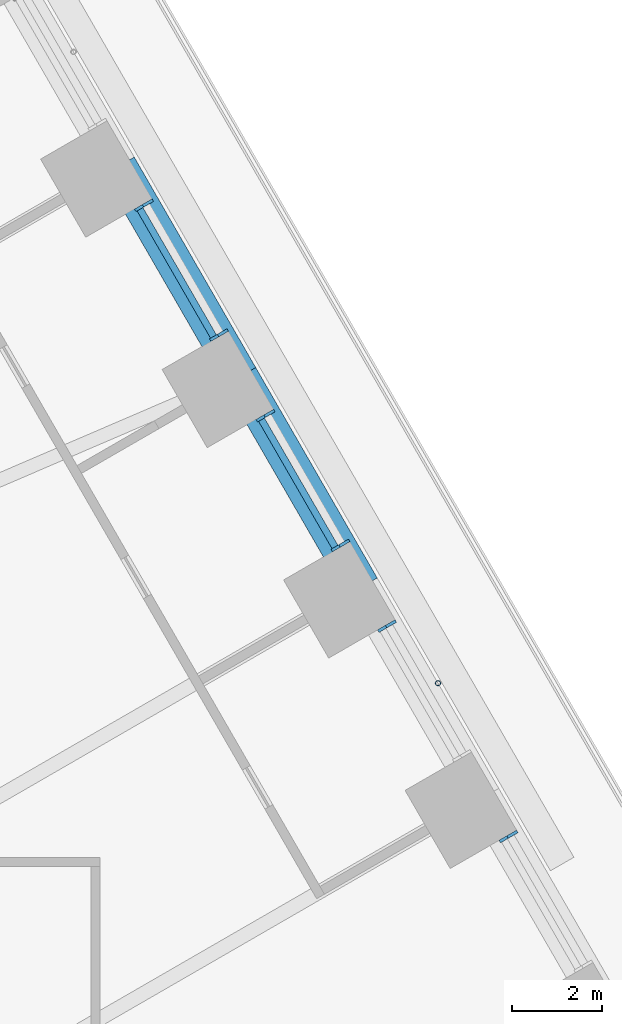
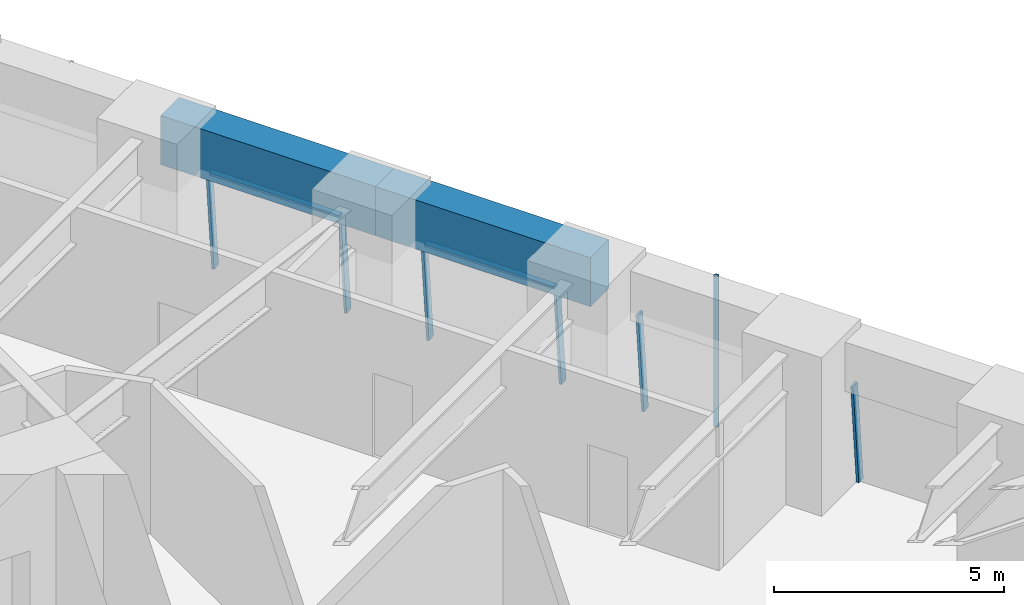
# One storey, part 13 of 24: 9 members, 2 beams, 4 elements without a shape of their own.
"""IFC4 building model written with IfcOpenShell, lengths in metres."""

from ifc_helpers import new_model, si_unit, direction, frame, origin, origin_2d, place, context, subcontext, project, spatial, rectangle, hollow_circle, extrude, material, material_profile, profile_set, type_object, element, aggregate, save


model = new_model("IFC4")

# Units and contexts
model_context = context("Model", 3, precision=1e-05, world=origin(), true_north=direction((0.0, 1.0)))
body_context = subcontext(model_context, "Body", "Model", "MODEL_VIEW")
ifc_project = project(units=[si_unit("LENGTHUNIT", "METRE"), si_unit("AREAUNIT", "SQUARE_METRE"), si_unit("VOLUMEUNIT", "CUBIC_METRE"), si_unit("PLANEANGLEUNIT", "RADIAN"), si_unit("MASSUNIT", "GRAM", prefix="KILO")], contexts=[model_context])

# Site, building, storey
site_placement = place(None, origin())
site = spatial("IfcSite", under=ifc_project, at=site_placement, CompositionType="ELEMENT")
building_placement = place(site_placement, origin())
building = spatial("IfcBuilding", under=site, at=building_placement, Name="Tarfa Lantern Tower", CompositionType="ELEMENT")
storey_placement = place(building_placement, frame((0.0, 0.0, 73.89990234375)))
storey = spatial("IfcBuildingStorey", under=building, at=storey_placement, Name="L16", CompositionType="ELEMENT", Elevation=73.89990234375)

# Curtain wall, member
ifc_material_1 = material(Name="Aluminium framed curtain wall", Category="aluminium")
curtain_wall_type = type_object("IfcCurtainWallType", Name="CW1 CANTED GLAZING LOW ZONE 2700", PredefinedType="USERDEFINED", material=ifc_material_1)
curtain_wall_1_placement = place(storey_placement, origin())
curtain_wall_1 = element("IfcCurtainWall", 1, at=curtain_wall_1_placement, inside=storey, type_object=curtain_wall_type, Name="CW1 NE L16", ObjectType="CURTAIN WALL", PredefinedType="USERDEFINED")
ifc_material_2 = material(Name="Aluminium mullion", Category="aluminium")
ifc_material_profile_1 = material_profile(ifc_material_2, rectangle(XDim=0.06494140625, YDim=0.199951171875, at=origin_2d()), Name="AL MULLION 65x200")
ifc_profile_set_1 = profile_set([ifc_material_profile_1], Name="Aluminium mullion")
member_type_1 = type_object("IfcMemberType", Name="CWM1 MULLION 65x200", PredefinedType="MULLION", material=ifc_profile_set_1)
member_1_placement = place(storey_placement, frame((35.26318359375, 6.722412109375, 0.0), z_axis=(-0.079857261722, -0.046095736191, 0.995739926314), x_axis=(0.499919672301, -0.866071776036, 0.0)))
member_1 = element("IfcMember", 2, at=member_1_placement, type_object=member_type_1, Name="CW1 mullion 2", PredefinedType="MULLION", context=body_context, shape_type="SweptSolid", body=[
    extrude(rectangle(XDim=0.06494140625, YDim=0.199951171875, at=origin_2d()), origin(), (0.0, 0.0, 1.0), 2.711669921875),
])
aggregate(curtain_wall_1, [member_1])

curtain_wall_2_placement = place(storey_placement, origin())
curtain_wall_2 = element("IfcCurtainWall", 3, at=curtain_wall_2_placement, inside=storey, type_object=curtain_wall_type, Name="CW1 NE L16", ObjectType="CURTAIN WALL", PredefinedType="USERDEFINED")
member_2_placement = place(storey_placement, frame((32.56884765625, 11.38916015625, 0.0), z_axis=(-0.079857261722, -0.046095736191, 0.995739926314), x_axis=(0.499919672301, -0.866071776036, 0.0)))
member_2 = element("IfcMember", 4, at=member_2_placement, type_object=member_type_1, Name="CW1 mullion 2", PredefinedType="MULLION", context=body_context, shape_type="SweptSolid", body=[
    extrude(rectangle(XDim=0.06494140625, YDim=0.199951171875, at=origin_2d()), origin(), (0.0, 0.0, 1.0), 2.711669921875),
])
aggregate(curtain_wall_2, [member_2])

# Curtain wall, members
curtain_wall_3_placement = place(storey_placement, origin())
curtain_wall_3 = element("IfcCurtainWall", 5, at=curtain_wall_3_placement, inside=storey, type_object=curtain_wall_type, Name="CW1 NE L16", ObjectType="CURTAIN WALL", PredefinedType="USERDEFINED")
member_3_placement = place(storey_placement, frame((31.536376953125, 13.177490234375, 0.0), z_axis=(-0.079857261722, -0.046095736191, 0.995739926314), x_axis=(0.499919672301, -0.866071776036, 0.0)))
member_3 = element("IfcMember", 6, at=member_3_placement, type_object=member_type_1, Name="CW1 mullion 1", PredefinedType="MULLION", context=body_context, shape_type="SweptSolid", body=[
    extrude(rectangle(XDim=0.06494140625, YDim=0.199951171875, at=origin_2d()), origin(), (0.0, 0.0, 1.0), 2.711669921875),
])
member_4_placement = place(storey_placement, frame((29.87451171875, 16.055908203125, 0.0), z_axis=(-0.079857261722, -0.046095736191, 0.995739926314), x_axis=(0.499919672301, -0.866071776036, 0.0)))
member_4 = element("IfcMember", 7, at=member_4_placement, type_object=member_type_1, Name="CW1 mullion 2", PredefinedType="MULLION", context=body_context, shape_type="SweptSolid", body=[
    extrude(rectangle(XDim=0.06494140625, YDim=0.199951171875, at=origin_2d()), origin(), (0.0, 0.0, 1.0), 2.711669921875),
])

curtain_wall_4_placement = place(storey_placement, origin())
curtain_wall_4 = element("IfcCurtainWall", 8, at=curtain_wall_4_placement, inside=storey, type_object=curtain_wall_type, Name="CW1 NE L16", ObjectType="CURTAIN WALL", PredefinedType="USERDEFINED")
member_5_placement = place(storey_placement, frame((28.842041015625, 17.84423828125, 0.0), z_axis=(-0.079857261722, -0.046095736191, 0.995739926314), x_axis=(0.499919672301, -0.866071776036, 0.0)))
member_5 = element("IfcMember", 9, at=member_5_placement, type_object=member_type_1, Name="CW1 mullion 1", PredefinedType="MULLION", context=body_context, shape_type="SweptSolid", body=[
    extrude(rectangle(XDim=0.06494140625, YDim=0.199951171875, at=origin_2d()), origin(), (0.0, 0.0, 1.0), 2.711669921875),
])
member_6_placement = place(storey_placement, frame((27.18017578125, 20.722412109375, 0.0), z_axis=(-0.079857261722, -0.046095736191, 0.995739926314), x_axis=(0.499919672301, -0.866071776036, 0.0)))
member_6 = element("IfcMember", 10, at=member_6_placement, type_object=member_type_1, Name="CW1 mullion 2", PredefinedType="MULLION", context=body_context, shape_type="SweptSolid", body=[
    extrude(rectangle(XDim=0.06494140625, YDim=0.199951171875, at=origin_2d()), origin(), (0.0, 0.0, 1.0), 2.711669921875),
])

# Member
ifc_material_3 = material(Name="Aluminium transom", Category="aluminium")
ifc_material_profile_2 = material_profile(ifc_material_3, rectangle(XDim=0.14990234375, YDim=0.06494140625, at=origin_2d()), Name="AL TRANSOM 150x65")
ifc_profile_set_2 = profile_set([ifc_material_profile_2], Name="Aluminium transom")
member_type_2 = type_object("IfcMemberType", Name="CWT1 TRANSOM 150x65", PredefinedType="USERDEFINED", material=ifc_profile_set_2)
member_7_placement = place(storey_placement, frame((31.30615234375, 13.082275390625, 2.66748046875), z_axis=(-0.500022939057, 0.866012159509, 0.0), x_axis=(-0.866012159509, -0.500022939057, 0.0)))
member_7 = element("IfcMember", 11, at=member_7_placement, type_object=member_type_2, Name="CW1 transom 1.2", ObjectType="TRANSOM", PredefinedType="USERDEFINED", context=body_context, shape_type="SweptSolid", body=[
    extrude(rectangle(XDim=0.14990234375, YDim=0.06494140625, at=origin_2d()), origin(), (0.0, 0.0, 1.0), 3.258544921875),
])

aggregate(curtain_wall_3, [member_3, member_4, member_7])

member_8_placement = place(storey_placement, frame((28.61181640625, 17.748779296875, 2.66748046875), z_axis=(-0.499966746847, 0.86604460165, 0.0), x_axis=(-0.86604460165, -0.499966746847, 0.0)))
member_8 = element("IfcMember", 12, at=member_8_placement, type_object=member_type_2, Name="CW1 transom 1.2", ObjectType="TRANSOM", PredefinedType="USERDEFINED", context=body_context, shape_type="SweptSolid", body=[
    extrude(rectangle(XDim=0.14990234375, YDim=0.06494140625, at=origin_2d()), origin(), (0.0, 0.0, 1.0), 3.258544921875),
])

aggregate(curtain_wall_4, [member_5, member_6, member_8])

# Beams
ifc_material_4 = material(Name="Concrete C80/95", Category="concrete")
ifc_material_profile_3 = material_profile(ifc_material_4, rectangle(XDim=0.800048828125, YDim=1.300048828125, at=origin_2d()), Name="RC 800x1300")
ifc_profile_set_3 = profile_set([ifc_material_profile_3], Name="Concrete C80/95")
beam_type = type_object("IfcBeamType", Name="EB1 RC 800x1300", PredefinedType="SPANDREL", material=ifc_profile_set_3)
beam_1_placement = place(storey_placement, frame((31.896728515625, 12.193359375, 3.35009765625), z_axis=(-0.499998287579, 0.866026392449, 0.0), x_axis=(-0.866026392449, -0.499998287579, 0.0)))
element("IfcBeam", 13, at=beam_1_placement, inside=storey, type_object=beam_type, Name="Edge beam NE2", PredefinedType="SPANDREL", context=body_context, shape_type="SweptSolid", body=[
    extrude(rectangle(XDim=0.800048828125, YDim=1.300048828125, at=origin_2d()), origin(), (0.0, 0.0, 1.0), 5.388671875),
])
beam_2_placement = place(storey_placement, frame((29.202392578125, 16.860107421875, 3.35009765625), z_axis=(-0.500017906299, 0.866015065331, 0.0), x_axis=(-0.866015065331, -0.500017906299, 0.0)))
element("IfcBeam", 14, at=beam_2_placement, inside=storey, type_object=beam_type, Name="Edge beam NE3", PredefinedType="SPANDREL", context=body_context, shape_type="SweptSolid", body=[
    extrude(rectangle(XDim=0.800048828125, YDim=1.300048828125, at=origin_2d()), origin(), (0.0, 0.0, 1.0), 5.388427734375),
])

# Member
ifc_material_5 = material(Name="Steel S355", Category="steel")
ifc_material_profile_4 = material_profile(ifc_material_5, hollow_circle(Radius=0.05712890625, WallThickness=0.00634765625, at=origin_2d()), Name="CHS114.3x6.3")
ifc_profile_set_4 = profile_set([ifc_material_profile_4], Name="Steel S355")
member_type_3 = type_object("IfcMemberType", Name="TR1 GREEN WALL TRELLIS CHS114.3x6.3", PredefinedType="USERDEFINED", material=ifc_profile_set_4)
member_9_placement = place(storey_placement, frame((33.59033203125, 10.06005859375, 0.0), z_axis=(0.0, 0.0, 1.0), x_axis=(1.0, 0.0, 0.0)))
element("IfcMember", 15, at=member_9_placement, inside=storey, type_object=member_type_3, Name="Trellis post NE 1", ObjectType="TRELLIS", PredefinedType="USERDEFINED", context=body_context, shape_type="SweptSolid", body=[
    extrude(hollow_circle(Radius=0.05712890625, WallThickness=0.00634765625, at=origin_2d()), origin(), (0.0, 0.0, 1.0), 4.0),
])

save(model, "model.ifc")
